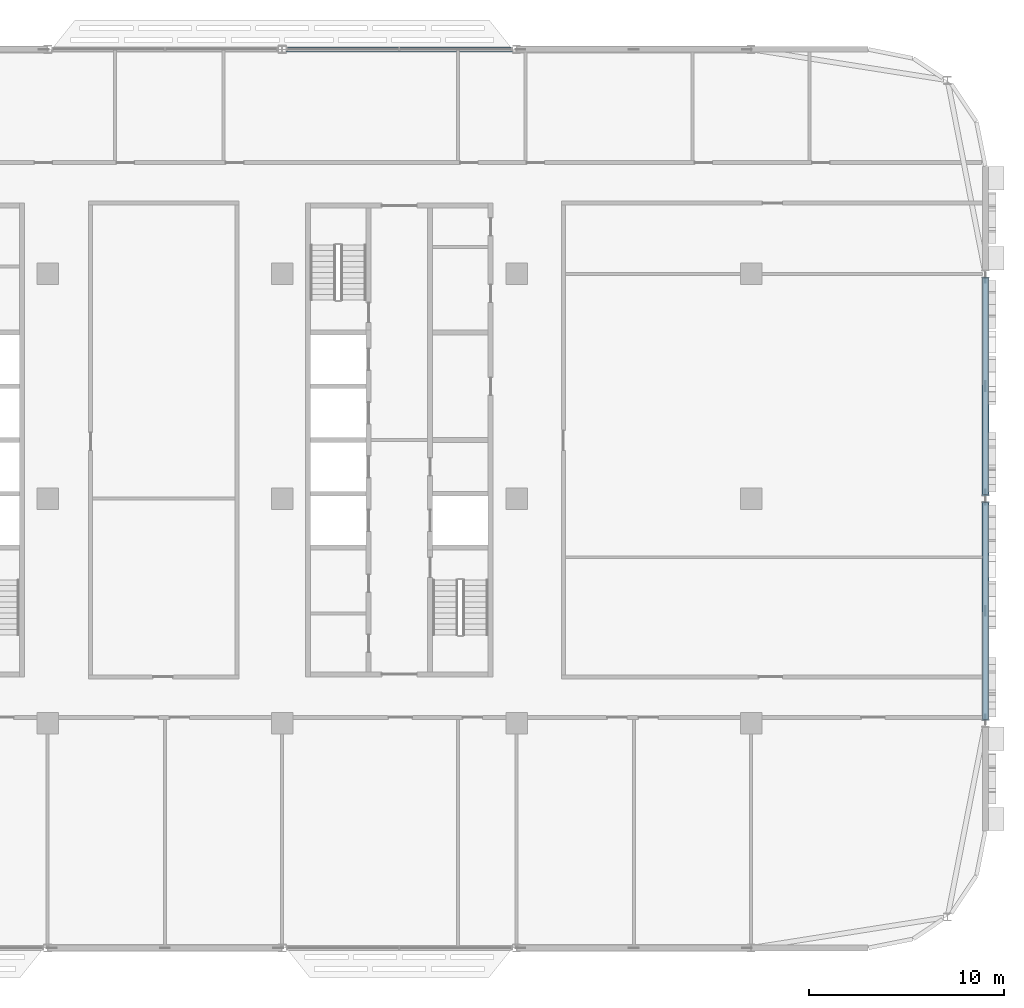
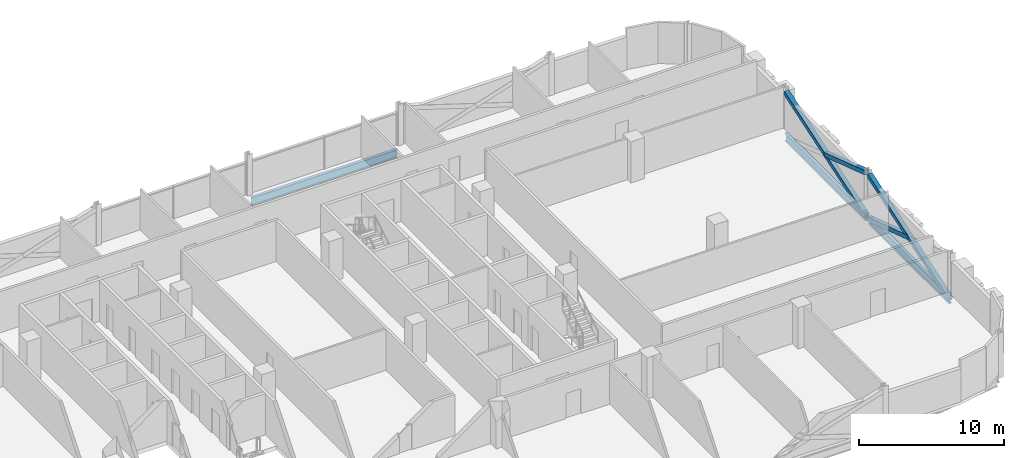
# One storey, part 10 of 29: 4 members, 3 beams.
"""IFC4 building model written with IfcOpenShell, lengths in metres."""

from ifc_helpers import new_model, si_unit, direction, frame, origin, origin_2d, place, context, subcontext, project, spatial, hollow_rectangle, i_section, extrude, material, material_profile, profile_set, type_object, element, save


model = new_model("IFC4")

# Units and contexts
model_context = context("Model", 3, precision=1e-05, world=origin(), true_north=direction((0.0, 1.0)))
body_context = subcontext(model_context, "Body", "Model", "MODEL_VIEW")
ifc_project = project(units=[si_unit("LENGTHUNIT", "METRE"), si_unit("AREAUNIT", "SQUARE_METRE"), si_unit("VOLUMEUNIT", "CUBIC_METRE"), si_unit("PLANEANGLEUNIT", "RADIAN"), si_unit("MASSUNIT", "GRAM", prefix="KILO")], contexts=[model_context])

# Site, building, storey
site_placement = place(None, origin())
site = spatial("IfcSite", under=ifc_project, at=site_placement, CompositionType="ELEMENT")
building_placement = place(site_placement, origin())
building = spatial("IfcBuilding", under=site, at=building_placement, Name="Mahtab Terrace Research Tower", CompositionType="ELEMENT")
storey_placement = place(building_placement, frame((0.0, 0.0, 197.699951171875)))
storey = spatial("IfcBuildingStorey", under=building, at=storey_placement, Name="L47", CompositionType="ELEMENT", Elevation=197.699951171875)

# Members
ifc_material_1 = material(Name="Steel ASTM A500 Gr C", Category="steel")
ifc_material_profile_1 = material_profile(ifc_material_1, hollow_rectangle(XDim=0.355712890625, YDim=0.355712890625, WallThickness=0.015869140625, at=origin_2d()), Name="HSS14X14X5/8")
ifc_profile_set_1 = profile_set([ifc_material_profile_1], Name="Steel ASTM A500 Gr C")
member_type = type_object("IfcMemberType", Name="HSS 14x14x5/8 brace XB141458", PredefinedType="BRACE", material=ifc_profile_set_1)
member_1_placement = place(storey_placement, frame((54.0, -11.300537109375, -0.61328125), z_axis=(0.0, 0.949498689047, 0.313770998496), x_axis=(-1.0, 0.0, 0.0)))
element("IfcMember", 1, at=member_1_placement, inside=storey, type_object=member_type, Name="Exoskeleton brace L47 22 a", PredefinedType="BRACE", context=body_context, shape_type="SweptSolid", body=[
    extrude(hollow_rectangle(XDim=0.355712890625, YDim=0.355712890625, WallThickness=0.015869140625, at=origin_2d()), origin(), (0.0, 0.0, 1.0), 11.69140625),
])
member_2_placement = place(storey_placement, frame((54.0, -0.199462890625, -0.61328125), z_axis=(0.0, -0.949498689047, 0.313770998496), x_axis=(1.0, 0.0, 0.0)))
element("IfcMember", 2, at=member_2_placement, inside=storey, type_object=member_type, Name="Exoskeleton brace L47 22 b1", PredefinedType="BRACE", context=body_context, shape_type="SweptSolid", body=[
    extrude(hollow_rectangle(XDim=0.355712890625, YDim=0.355712890625, WallThickness=0.015869140625, at=origin_2d()), origin(), (0.0, 0.0, 1.0), 5.845703125),
])
member_3_placement = place(storey_placement, frame((54.0, 0.199462890625, -0.61328125), z_axis=(0.0, 0.949498689047, 0.313770998496), x_axis=(-1.0, 0.0, 0.0)))
element("IfcMember", 3, at=member_3_placement, inside=storey, type_object=member_type, Name="Exoskeleton brace L47 23 a", PredefinedType="BRACE", context=body_context, shape_type="SweptSolid", body=[
    extrude(hollow_rectangle(XDim=0.355712890625, YDim=0.355712890625, WallThickness=0.015869140625, at=origin_2d()), origin(), (0.0, 0.0, 1.0), 11.69140625),
])
member_4_placement = place(storey_placement, frame((54.0, 5.75, 1.220947265625), z_axis=(0.0, -0.949498689047, 0.313770998496), x_axis=(1.0, 0.0, 0.0)))
element("IfcMember", 4, at=member_4_placement, inside=storey, type_object=member_type, Name="Exoskeleton brace L47 23 b2", PredefinedType="BRACE", context=body_context, shape_type="SweptSolid", body=[
    extrude(hollow_rectangle(XDim=0.355712890625, YDim=0.355712890625, WallThickness=0.015869140625, at=origin_2d()), origin(), (0.0, 0.0, 1.0), 5.845703125),
])

# Beams
ifc_material_2 = material(Name="Steel ASTM A992 Gr 50", Category="steel")
ifc_material_profile_2 = material_profile(ifc_material_2, i_section(OverallWidth=0.25390625, OverallDepth=0.67822265625, WebThickness=0.01171875, FlangeThickness=0.016357421875, at=origin_2d()), Name="W27X84")
ifc_profile_set_2 = profile_set([ifc_material_profile_2], Name="Steel ASTM A992 Gr 50")
beam_type = type_object("IfcBeamType", Name="W27x84 beam BS2784", PredefinedType="BEAM", material=ifc_profile_set_2)
beam_placement = place(storey_placement, frame((29.79931640625, 23.0, -0.678955078125), z_axis=(-1.0, 0.0, 0.0), x_axis=(0.0, -1.0, 0.0)))
element("IfcBeam", 5, at=beam_placement, inside=storey, type_object=beam_type, Name="Spandrel beam L47 03", PredefinedType="BEAM", context=body_context, shape_type="SweptSolid", body=[
    extrude(i_section(OverallWidth=0.25390625, OverallDepth=0.67822265625, WebThickness=0.01171875, FlangeThickness=0.016357421875, at=origin_2d()), origin(), (0.0, 0.0, 1.0), 11.5986328125),
])
for number, where, z_axis, x_axis, name in (
    (6, (54.0, -11.300537109375, -0.678955078125), (0.0, 1.0, 0.0), (-1.0, 0.0, 0.0), "Spandrel beam L47 22"),
    (7, (54.0, 0.199462890625, -0.678955078125), (0.0, 1.0, 0.0), (-1.0, 0.0, 0.0), "Spandrel beam L47 23"),
):
    element("IfcBeam", number, at=place(storey_placement, frame(where, z_axis=z_axis, x_axis=x_axis)), inside=storey, type_object=beam_type, Name=name, PredefinedType="BEAM", context=body_context, shape_type="SweptSolid", body=[
        extrude(i_section(OverallWidth=0.25390625, OverallDepth=0.67822265625, WebThickness=0.01171875, FlangeThickness=0.016357421875, at=origin_2d()), origin(), (0.0, 0.0, 1.0), 11.10107421875),
    ])

save(model, "model.ifc")
